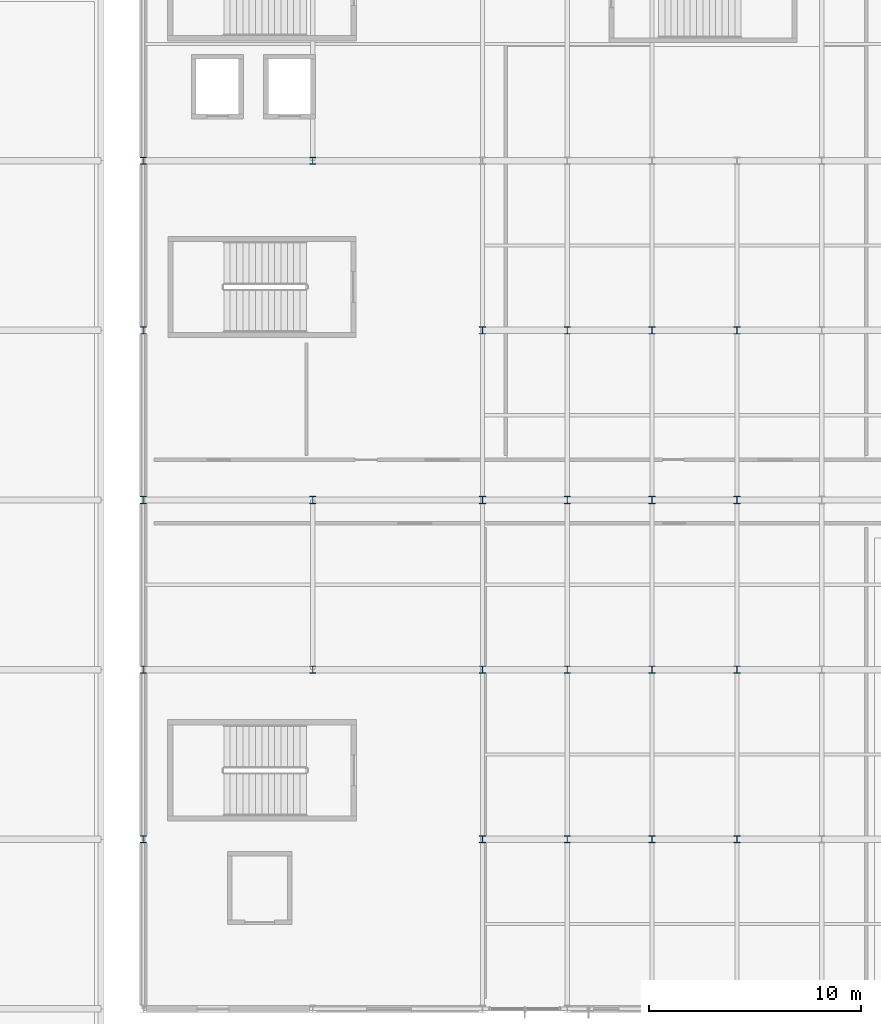
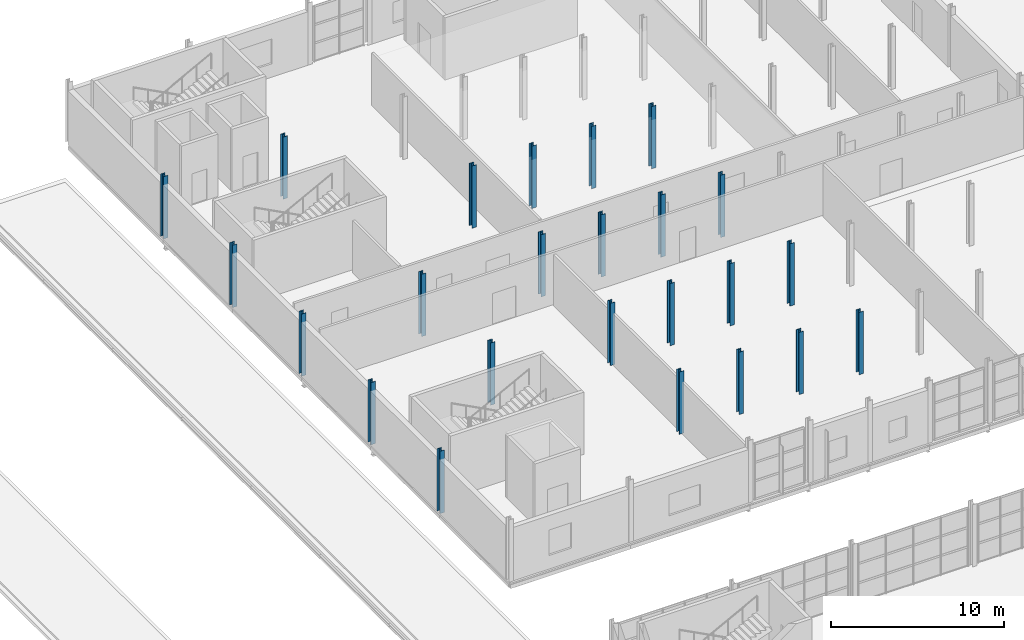
# One storey, part 11 of 153: 24 columns.
"""IFC4 building model written with IfcOpenShell, lengths in metres."""

from ifc_helpers import new_model, si_unit, derived_unit, direction, frame, origin, origin_2d, place, context, subcontext, project, spatial, i_section, extrude, material, material_profile, profile_set, type_object, element, save


model = new_model("IFC4")

# Units and contexts
model_context = context("Model", 3, precision=1e-05, world=origin(), true_north=direction((0.0, 1.0)))
body_context = subcontext(model_context, "Body", "Model", "MODEL_VIEW")
ifc_project = project(units=[si_unit("LENGTHUNIT", "METRE"), si_unit("AREAUNIT", "SQUARE_METRE"), si_unit("VOLUMEUNIT", "CUBIC_METRE"), si_unit("PLANEANGLEUNIT", "RADIAN"), si_unit("MASSUNIT", "GRAM", prefix="KILO"), derived_unit("THERMALTRANSMITTANCEUNIT", [(si_unit("POWERUNIT", "WATT"), 1), (si_unit("LENGTHUNIT", "METRE"), -2), (si_unit("THERMODYNAMICTEMPERATUREUNIT", "KELVIN"), -1)])], contexts=[model_context])

# Site, building, storey
site_placement = place(None, origin())
site = spatial("IfcSite", under=ifc_project, at=site_placement, CompositionType="ELEMENT")
building_placement = place(site_placement, origin())
building = spatial("IfcBuilding", under=site, at=building_placement, Name="Keldorne Ridge Multi-Sports Centre", CompositionType="ELEMENT")
storey_placement = place(building_placement, frame((0.0, 0.0, 9.60009765625)))
storey = spatial("IfcBuildingStorey", under=building, at=storey_placement, Name="L02", CompositionType="ELEMENT", Elevation=9.60009765625)

# Columns
ifc_material = material(Name="Steel S355", Category="steel")
ifc_material_profile = material_profile(ifc_material, i_section(OverallWidth=0.300048828125, OverallDepth=0.340087890625, WebThickness=0.011962890625, FlangeThickness=0.021484375, FilletRadius=0.027099609375, at=origin_2d()), Name="HEB 340")
ifc_profile_set = profile_set([ifc_material_profile], Name="Steel S355")
column_type = type_object("IfcColumnType", Name="COL-C-11", PredefinedType="COLUMN", material=ifc_profile_set)
for number, where, z_axis, x_axis, name in (
    (1, (104.0, 74.0, 0.0), (0.0, 0.0, 1.0), (1.0, 0.0, 0.0), "Structural column V5-C-01-02 on L02"),
    (2, (104.0, 82.0, 0.0), (0.0, 0.0, 1.0), (1.0, 0.0, 0.0), "Structural column V5-C-01-03 on L02"),
    (3, (104.0, 90.0, 0.0), (0.0, 0.0, 1.0), (1.0, 0.0, 0.0), "Structural column V5-C-01-04 on L02"),
    (4, (104.0, 98.0, 0.0), (0.0, 0.0, 1.0), (1.0, 0.0, 0.0), "Structural column V5-C-01-05 on L02"),
    (5, (104.0, 106.0, 0.0), (0.0, 0.0, 1.0), (1.0, 0.0, 0.0), "Structural column V5-C-01-06 on L02"),
    (6, (112.0, 82.0, 0.0), (0.0, 0.0, 1.0), (1.0, 0.0, 0.0), "Structural column V5-C-02-03 on L02"),
    (7, (112.0, 90.0, 0.0), (0.0, 0.0, 1.0), (1.0, 0.0, 0.0), "Structural column V5-C-02-04 on L02"),
    (8, (112.0, 106.0, 0.0), (0.0, 0.0, 1.0), (1.0, 0.0, 0.0), "Structural column V5-C-02-06 on L02"),
    (9, (120.0, 74.0, 0.0), (0.0, 0.0, 1.0), (1.0, 0.0, 0.0), "Structural column V5-C-03-02 on L02"),
    (10, (120.0, 82.0, 0.0), (0.0, 0.0, 1.0), (1.0, 0.0, 0.0), "Structural column V5-C-03-03 on L02"),
    (11, (120.0, 90.0, 0.0), (0.0, 0.0, 1.0), (1.0, 0.0, 0.0), "Structural column V5-C-03-04 on L02"),
    (12, (120.0, 98.0, 0.0), (0.0, 0.0, 1.0), (1.0, 0.0, 0.0), "Structural column V5-C-03-05 on L02"),
    (13, (124.0, 74.0, 0.0), (0.0, 0.0, 1.0), (1.0, 0.0, 0.0), "Structural column V5-C-04-02 on L02"),
    (14, (124.0, 82.0, 0.0), (0.0, 0.0, 1.0), (1.0, 0.0, 0.0), "Structural column V5-C-04-03 on L02"),
    (15, (124.0, 90.0, 0.0), (0.0, 0.0, 1.0), (1.0, 0.0, 0.0), "Structural column V5-C-04-04 on L02"),
    (16, (124.0, 98.0, 0.0), (0.0, 0.0, 1.0), (1.0, 0.0, 0.0), "Structural column V5-C-04-05 on L02"),
    (17, (128.0, 74.0, 0.0), (0.0, 0.0, 1.0), (1.0, 0.0, 0.0), "Structural column V5-C-05-02 on L02"),
    (18, (128.0, 82.0, 0.0), (0.0, 0.0, 1.0), (1.0, 0.0, 0.0), "Structural column V5-C-05-03 on L02"),
    (19, (128.0, 90.0, 0.0), (0.0, 0.0, 1.0), (1.0, 0.0, 0.0), "Structural column V5-C-05-04 on L02"),
    (20, (128.0, 98.0, 0.0), (0.0, 0.0, 1.0), (1.0, 0.0, 0.0), "Structural column V5-C-05-05 on L02"),
    (21, (132.0, 74.0, 0.0), (0.0, 0.0, 1.0), (1.0, 0.0, 0.0), "Structural column V5-C-06-02 on L02"),
    (22, (132.0, 82.0, 0.0), (0.0, 0.0, 1.0), (1.0, 0.0, 0.0), "Structural column V5-C-06-03 on L02"),
    (23, (132.0, 90.0, 0.0), (0.0, 0.0, 1.0), (1.0, 0.0, 0.0), "Structural column V5-C-06-04 on L02"),
    (24, (132.0, 98.0, 0.0), (0.0, 0.0, 1.0), (1.0, 0.0, 0.0), "Structural column V5-C-06-05 on L02"),
):
    element("IfcColumn", number, at=place(storey_placement, frame(where, z_axis=z_axis, x_axis=x_axis)), inside=storey, type_object=column_type, Name=name, PredefinedType="COLUMN", context=body_context, shape_type="SweptSolid", body=[
        extrude(i_section(OverallWidth=0.300048828125, OverallDepth=0.340087890625, WebThickness=0.011962890625, FlangeThickness=0.021484375, FilletRadius=0.027099609375, at=origin_2d()), origin(), (0.0, 0.0, 1.0), 4.39990234375),
    ])

save(model, "model.ifc")
